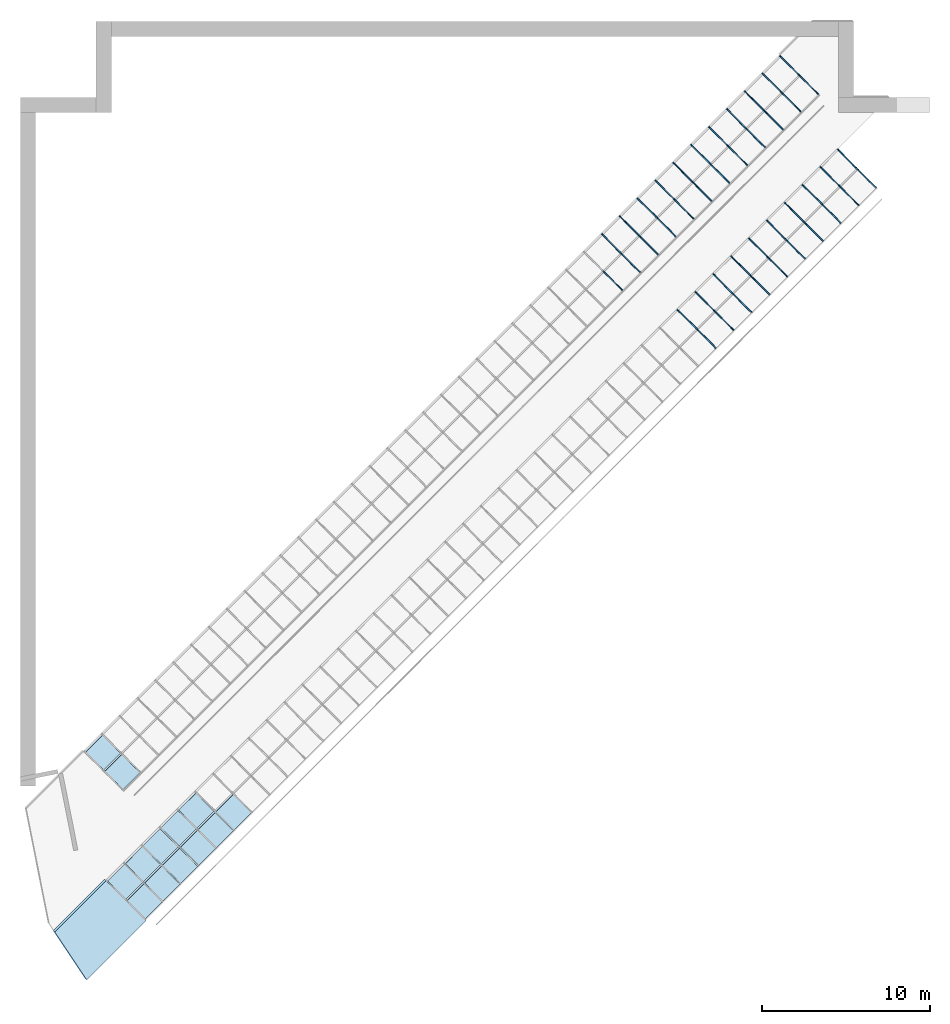
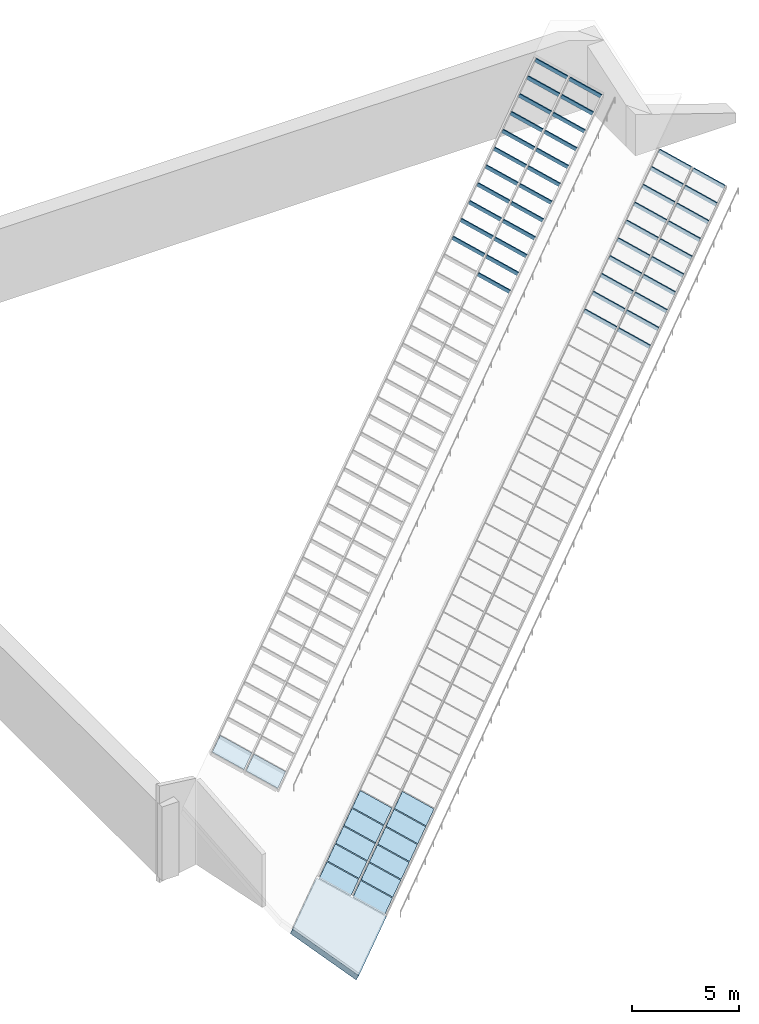
# One storey, part 3 of 7: 43 members, 13 plates, 1 slab, 2 elements without a shape of their own.
"""IFC4 building model written with IfcOpenShell, lengths in metres."""

from ifc_helpers import new_model, si_unit, direction, frame, origin, origin_2d, place, context, subcontext, project, spatial, polyline, rectangle, outline, extrude, material, layer, layer_set, material_profile, profile_set, type_object, element, aggregate, save


model = new_model("IFC4")

# Units and contexts
model_context = context("Model", 3, precision=1e-05, world=origin(), true_north=direction((0.0, 1.0)))
body_context = subcontext(model_context, "Body", "Model", "MODEL_VIEW")
ifc_project = project(units=[si_unit("LENGTHUNIT", "METRE"), si_unit("AREAUNIT", "SQUARE_METRE"), si_unit("VOLUMEUNIT", "CUBIC_METRE"), si_unit("PLANEANGLEUNIT", "RADIAN"), si_unit("MASSUNIT", "GRAM", prefix="KILO")], contexts=[model_context])

# Site, building, storey
site_placement = place(None, origin())
site = spatial("IfcSite", under=ifc_project, at=site_placement, CompositionType="ELEMENT")
building_placement = place(site_placement, origin())
building = spatial("IfcBuilding", under=site, at=building_placement, Name="Hunhe Ridgeline Campus", CompositionType="ELEMENT")
storey_placement = place(building_placement, frame((0.0, 0.0, 315.60009765625)))
storey = spatial("IfcBuildingStorey", under=building, at=storey_placement, Name="L81 Crown", CompositionType="ELEMENT", Elevation=315.60009765625)

# Curtain wall, members
ifc_material_1 = material(Name="Aluminium 6063", Category="aluminium")
curtain_wall_type = type_object("IfcCurtainWallType", Name="Curtain wall CW-6", PredefinedType="NOTDEFINED", material=ifc_material_1)
curtain_wall_1_placement = place(storey_placement, origin())
curtain_wall_1 = element("IfcCurtainWall", 1, at=curtain_wall_1_placement, inside=storey, type_object=curtain_wall_type, Name="Rooflight 3", PredefinedType="NOTDEFINED")
ifc_material_profile = material_profile(ifc_material_1, rectangle(XDim=0.070068359375, YDim=0.199951171875, at=origin_2d()))
ifc_profile_set = profile_set([ifc_material_profile], Name="Aluminium 6063")
member_type = type_object("IfcMemberType", Name="CW-6 aluminium mullion", PredefinedType="MULLION", material=ifc_profile_set)
member_1_placement = place(storey_placement, frame((50.8173828125, 89.140380859375, 0.1708984375), z_axis=(-0.639602149067, 0.639602149067, 0.426401432711), x_axis=(-0.707106781187, -0.707106781187, 0.0)))
member_1 = element("IfcMember", 2, at=member_1_placement, type_object=member_type, Name="E-L81 Crown-RL-03/M0-00", PredefinedType="MULLION", context=body_context, shape_type="SweptSolid", body=[
    extrude(rectangle(XDim=0.070068359375, YDim=0.199951171875, at=origin_2d()), origin(), (0.0, 0.0, 1.0), 1.693603515625),
])
member_2_placement = place(storey_placement, frame((49.781494140625, 88.1044921875, 0.1708984375), z_axis=(-0.639687317978, 0.63954317933, 0.426362119554), x_axis=(-0.707027102695, -0.707186450701, 0.0)))
member_2 = element("IfcMember", 3, at=member_2_placement, type_object=member_type, Name="E-L81 Crown-RL-03/M0-01", PredefinedType="MULLION", context=body_context, shape_type="SweptSolid", body=[
    extrude(rectangle(XDim=0.070068359375, YDim=0.199951171875, at=origin_2d()), origin(), (0.0, 0.0, 1.0), 1.69384765625),
])
member_3_placement = place(storey_placement, frame((48.720703125, 87.043701171875, 0.1708984375), z_axis=(-0.639602149067, 0.639602149067, 0.426401432711), x_axis=(-0.707106781187, -0.707106781187, 0.0)))
member_3 = element("IfcMember", 4, at=member_3_placement, type_object=member_type, Name="E-L81 Crown-RL-03/M0-02", PredefinedType="MULLION", context=body_context, shape_type="SweptSolid", body=[
    extrude(rectangle(XDim=0.070068359375, YDim=0.199951171875, at=origin_2d()), origin(), (0.0, 0.0, 1.0), 1.693603515625),
])
member_4_placement = place(storey_placement, frame((47.66015625, 85.983154296875, 0.1708984375), z_axis=(-0.639602149067, 0.639602149067, 0.426401432711), x_axis=(-0.707106781187, -0.707106781187, 0.0)))
member_4 = element("IfcMember", 5, at=member_4_placement, type_object=member_type, Name="E-L81 Crown-RL-03/M0-03", PredefinedType="MULLION", context=body_context, shape_type="SweptSolid", body=[
    extrude(rectangle(XDim=0.070068359375, YDim=0.199951171875, at=origin_2d()), origin(), (0.0, 0.0, 1.0), 1.693603515625),
])
member_5_placement = place(storey_placement, frame((46.599365234375, 84.92236328125, 0.1708984375), z_axis=(-0.639602149067, 0.639602149067, 0.426401432711), x_axis=(-0.707106781187, -0.707106781187, 0.0)))
member_5 = element("IfcMember", 6, at=member_5_placement, type_object=member_type, Name="E-L81 Crown-RL-03/M0-04", PredefinedType="MULLION", context=body_context, shape_type="SweptSolid", body=[
    extrude(rectangle(XDim=0.070068359375, YDim=0.199951171875, at=origin_2d()), origin(), (0.0, 0.0, 1.0), 1.693603515625),
])
member_6_placement = place(storey_placement, frame((45.538818359375, 83.86181640625, 0.1708984375), z_axis=(-0.639602149067, 0.639602149067, 0.426401432711), x_axis=(-0.707106781187, -0.707106781187, 0.0)))
member_6 = element("IfcMember", 7, at=member_6_placement, type_object=member_type, Name="E-L81 Crown-RL-03/M0-05", PredefinedType="MULLION", context=body_context, shape_type="SweptSolid", body=[
    extrude(rectangle(XDim=0.070068359375, YDim=0.199951171875, at=origin_2d()), origin(), (0.0, 0.0, 1.0), 1.693603515625),
])
member_7_placement = place(storey_placement, frame((44.47802734375, 82.801025390625, 0.1708984375), z_axis=(-0.63954317933, 0.639687317978, 0.426362119554), x_axis=(-0.707186450701, -0.707027102695, 0.0)))
member_7 = element("IfcMember", 8, at=member_7_placement, type_object=member_type, Name="E-L81 Crown-RL-03/M0-06", PredefinedType="MULLION", context=body_context, shape_type="SweptSolid", body=[
    extrude(rectangle(XDim=0.070068359375, YDim=0.199951171875, at=origin_2d()), origin(), (0.0, 0.0, 1.0), 1.69384765625),
])
member_8_placement = place(storey_placement, frame((43.41748046875, 81.740478515625, 0.1708984375), z_axis=(-0.639602149067, 0.639602149067, 0.426401432711), x_axis=(-0.707106781187, -0.707106781187, 0.0)))
member_8 = element("IfcMember", 9, at=member_8_placement, type_object=member_type, Name="E-L81 Crown-RL-03/M0-07", PredefinedType="MULLION", context=body_context, shape_type="SweptSolid", body=[
    extrude(rectangle(XDim=0.070068359375, YDim=0.199951171875, at=origin_2d()), origin(), (0.0, 0.0, 1.0), 1.693603515625),
])
member_9_placement = place(storey_placement, frame((42.356689453125, 80.679931640625, 0.1708984375), z_axis=(-0.639602149067, 0.639602149067, 0.426401432711), x_axis=(-0.707106781187, -0.707106781187, 0.0)))
member_9 = element("IfcMember", 10, at=member_9_placement, type_object=member_type, Name="E-L81 Crown-RL-03/M0-08", PredefinedType="MULLION", context=body_context, shape_type="SweptSolid", body=[
    extrude(rectangle(XDim=0.070068359375, YDim=0.199951171875, at=origin_2d()), origin(), (0.0, 0.0, 1.0), 1.693603515625),
])
member_10_placement = place(storey_placement, frame((41.296142578125, 79.619140625, 0.1708984375), z_axis=(-0.639602149067, 0.639602149067, 0.426401432711), x_axis=(-0.707106781187, -0.707106781187, 0.0)))
member_10 = element("IfcMember", 11, at=member_10_placement, type_object=member_type, Name="E-L81 Crown-RL-03/M0-09", PredefinedType="MULLION", context=body_context, shape_type="SweptSolid", body=[
    extrude(rectangle(XDim=0.070068359375, YDim=0.199951171875, at=origin_2d()), origin(), (0.0, 0.0, 1.0), 1.693603515625),
])
member_11_placement = place(storey_placement, frame((49.663330078125, 90.29443359375, 0.9404296875), z_axis=(-0.639602149067, 0.639602149067, 0.426401432711), x_axis=(-0.707106781187, -0.707106781187, 0.0)))
member_11 = element("IfcMember", 12, at=member_11_placement, type_object=member_type, Name="E-L81 Crown-RL-03/M1-00", PredefinedType="MULLION", context=body_context, shape_type="SweptSolid", body=[
    extrude(rectangle(XDim=0.070068359375, YDim=0.199951171875, at=origin_2d()), origin(), (0.0, 0.0, 1.0), 1.693603515625),
])
member_12_placement = place(storey_placement, frame((48.62744140625, 89.25830078125, 0.9404296875), z_axis=(-0.63954317933, 0.639687317978, 0.426362119554), x_axis=(-0.707186450701, -0.707027102695, 0.0)))
member_12 = element("IfcMember", 13, at=member_12_placement, type_object=member_type, Name="E-L81 Crown-RL-03/M1-01", PredefinedType="MULLION", context=body_context, shape_type="SweptSolid", body=[
    extrude(rectangle(XDim=0.070068359375, YDim=0.199951171875, at=origin_2d()), origin(), (0.0, 0.0, 1.0), 1.69384765625),
])
member_13_placement = place(storey_placement, frame((47.566650390625, 88.19775390625, 0.9404296875), z_axis=(-0.639602149067, 0.639602149067, 0.426401432711), x_axis=(-0.707106781187, -0.707106781187, 0.0)))
member_13 = element("IfcMember", 14, at=member_13_placement, type_object=member_type, Name="E-L81 Crown-RL-03/M1-02", PredefinedType="MULLION", context=body_context, shape_type="SweptSolid", body=[
    extrude(rectangle(XDim=0.070068359375, YDim=0.199951171875, at=origin_2d()), origin(), (0.0, 0.0, 1.0), 1.693603515625),
])
member_14_placement = place(storey_placement, frame((46.506103515625, 87.13720703125, 0.9404296875), z_axis=(-0.639602149067, 0.639602149067, 0.426401432711), x_axis=(-0.707106781187, -0.707106781187, 0.0)))
member_14 = element("IfcMember", 15, at=member_14_placement, type_object=member_type, Name="E-L81 Crown-RL-03/M1-03", PredefinedType="MULLION", context=body_context, shape_type="SweptSolid", body=[
    extrude(rectangle(XDim=0.070068359375, YDim=0.199951171875, at=origin_2d()), origin(), (0.0, 0.0, 1.0), 1.693603515625),
])
member_15_placement = place(storey_placement, frame((45.4453125, 86.076416015625, 0.9404296875), z_axis=(-0.639602149067, 0.639602149067, 0.426401432711), x_axis=(-0.707106781187, -0.707106781187, 0.0)))
member_15 = element("IfcMember", 16, at=member_15_placement, type_object=member_type, Name="E-L81 Crown-RL-03/M1-04", PredefinedType="MULLION", context=body_context, shape_type="SweptSolid", body=[
    extrude(rectangle(XDim=0.070068359375, YDim=0.199951171875, at=origin_2d()), origin(), (0.0, 0.0, 1.0), 1.693603515625),
])
member_16_placement = place(storey_placement, frame((44.384765625, 85.015869140625, 0.9404296875), z_axis=(-0.639602149067, 0.639602149067, 0.426401432711), x_axis=(-0.707106781187, -0.707106781187, 0.0)))
member_16 = element("IfcMember", 17, at=member_16_placement, type_object=member_type, Name="E-L81 Crown-RL-03/M1-05", PredefinedType="MULLION", context=body_context, shape_type="SweptSolid", body=[
    extrude(rectangle(XDim=0.070068359375, YDim=0.199951171875, at=origin_2d()), origin(), (0.0, 0.0, 1.0), 1.693603515625),
])
member_17_placement = place(storey_placement, frame((43.32421875, 83.955078125, 0.9404296875), z_axis=(-0.639687317978, 0.63954317933, 0.426362119554), x_axis=(-0.707027102695, -0.707186450701, 0.0)))
member_17 = element("IfcMember", 18, at=member_17_placement, type_object=member_type, Name="E-L81 Crown-RL-03/M1-06", PredefinedType="MULLION", context=body_context, shape_type="SweptSolid", body=[
    extrude(rectangle(XDim=0.070068359375, YDim=0.199951171875, at=origin_2d()), origin(), (0.0, 0.0, 1.0), 1.69384765625),
])
member_18_placement = place(storey_placement, frame((42.263427734375, 82.89453125, 0.9404296875), z_axis=(-0.639602149067, 0.639602149067, 0.426401432711), x_axis=(-0.707106781187, -0.707106781187, 0.0)))
member_18 = element("IfcMember", 19, at=member_18_placement, type_object=member_type, Name="E-L81 Crown-RL-03/M1-07", PredefinedType="MULLION", context=body_context, shape_type="SweptSolid", body=[
    extrude(rectangle(XDim=0.070068359375, YDim=0.199951171875, at=origin_2d()), origin(), (0.0, 0.0, 1.0), 1.693603515625),
])
member_19_placement = place(storey_placement, frame((41.202880859375, 81.833740234375, 0.9404296875), z_axis=(-0.639602149067, 0.639602149067, 0.426401432711), x_axis=(-0.707106781187, -0.707106781187, 0.0)))
member_19 = element("IfcMember", 20, at=member_19_placement, type_object=member_type, Name="E-L81 Crown-RL-03/M1-08", PredefinedType="MULLION", context=body_context, shape_type="SweptSolid", body=[
    extrude(rectangle(XDim=0.070068359375, YDim=0.199951171875, at=origin_2d()), origin(), (0.0, 0.0, 1.0), 1.693603515625),
])
member_20_placement = place(storey_placement, frame((40.14208984375, 80.773193359375, 0.9404296875), z_axis=(-0.639602149067, 0.639602149067, 0.426401432711), x_axis=(-0.707106781187, -0.707106781187, 0.0)))
member_20 = element("IfcMember", 21, at=member_20_placement, type_object=member_type, Name="E-L81 Crown-RL-03/M1-09", PredefinedType="MULLION", context=body_context, shape_type="SweptSolid", body=[
    extrude(rectangle(XDim=0.070068359375, YDim=0.199951171875, at=origin_2d()), origin(), (0.0, 0.0, 1.0), 1.693603515625),
])

curtain_wall_2_placement = place(storey_placement, origin())
curtain_wall_2 = element("IfcCurtainWall", 22, at=curtain_wall_2_placement, inside=storey, type_object=curtain_wall_type, Name="Rooflight 4", PredefinedType="NOTDEFINED")
member_21_placement = place(storey_placement, frame((47.3779296875, 94.700927734375, 3.171142578125), z_axis=(-0.639602149067, 0.639602149067, 0.426401432711), x_axis=(-0.707106781187, -0.707106781187, 0.0)))
member_21 = element("IfcMember", 23, at=member_21_placement, type_object=member_type, Name="E-L81 Crown-RL-04/M0-00", PredefinedType="MULLION", context=body_context, shape_type="SweptSolid", body=[
    extrude(rectangle(XDim=0.070068359375, YDim=0.199951171875, at=origin_2d()), origin(), (0.0, 0.0, 1.0), 1.693603515625),
])
member_22_placement = place(storey_placement, frame((46.342041015625, 93.6650390625, 3.171142578125), z_axis=(-0.639602149067, 0.639602149067, 0.426401432711), x_axis=(-0.707106781187, -0.707106781187, 0.0)))
member_22 = element("IfcMember", 24, at=member_22_placement, type_object=member_type, Name="E-L81 Crown-RL-04/M0-01", PredefinedType="MULLION", context=body_context, shape_type="SweptSolid", body=[
    extrude(rectangle(XDim=0.070068359375, YDim=0.199951171875, at=origin_2d()), origin(), (0.0, 0.0, 1.0), 1.693603515625),
])
member_23_placement = place(storey_placement, frame((45.281494140625, 92.6044921875, 3.171142578125), z_axis=(-0.639687317978, 0.63954317933, 0.426362119554), x_axis=(-0.707027102695, -0.707186450701, 0.0)))
member_23 = element("IfcMember", 25, at=member_23_placement, type_object=member_type, Name="E-L81 Crown-RL-04/M0-02", PredefinedType="MULLION", context=body_context, shape_type="SweptSolid", body=[
    extrude(rectangle(XDim=0.070068359375, YDim=0.199951171875, at=origin_2d()), origin(), (0.0, 0.0, 1.0), 1.69384765625),
])
member_24_placement = place(storey_placement, frame((44.220703125, 91.543701171875, 3.171142578125), z_axis=(-0.639602149067, 0.639602149067, 0.426401432711), x_axis=(-0.707106781187, -0.707106781187, 0.0)))
member_24 = element("IfcMember", 26, at=member_24_placement, type_object=member_type, Name="E-L81 Crown-RL-04/M0-03", PredefinedType="MULLION", context=body_context, shape_type="SweptSolid", body=[
    extrude(rectangle(XDim=0.070068359375, YDim=0.199951171875, at=origin_2d()), origin(), (0.0, 0.0, 1.0), 1.693603515625),
])
member_25_placement = place(storey_placement, frame((43.16015625, 90.483154296875, 3.171142578125), z_axis=(-0.639602149067, 0.639602149067, 0.426401432711), x_axis=(-0.707106781187, -0.707106781187, 0.0)))
member_25 = element("IfcMember", 27, at=member_25_placement, type_object=member_type, Name="E-L81 Crown-RL-04/M0-04", PredefinedType="MULLION", context=body_context, shape_type="SweptSolid", body=[
    extrude(rectangle(XDim=0.070068359375, YDim=0.199951171875, at=origin_2d()), origin(), (0.0, 0.0, 1.0), 1.693603515625),
])
member_26_placement = place(storey_placement, frame((42.099365234375, 89.42236328125, 3.171142578125), z_axis=(-0.639602149067, 0.639602149067, 0.426401432711), x_axis=(-0.707106781187, -0.707106781187, 0.0)))
member_26 = element("IfcMember", 28, at=member_26_placement, type_object=member_type, Name="E-L81 Crown-RL-04/M0-05", PredefinedType="MULLION", context=body_context, shape_type="SweptSolid", body=[
    extrude(rectangle(XDim=0.070068359375, YDim=0.199951171875, at=origin_2d()), origin(), (0.0, 0.0, 1.0), 1.693603515625),
])
member_27_placement = place(storey_placement, frame((41.038818359375, 88.36181640625, 3.171142578125), z_axis=(-0.639602149067, 0.639602149067, 0.426401432711), x_axis=(-0.707106781187, -0.707106781187, 0.0)))
member_27 = element("IfcMember", 29, at=member_27_placement, type_object=member_type, Name="E-L81 Crown-RL-04/M0-06", PredefinedType="MULLION", context=body_context, shape_type="SweptSolid", body=[
    extrude(rectangle(XDim=0.070068359375, YDim=0.199951171875, at=origin_2d()), origin(), (0.0, 0.0, 1.0), 1.693603515625),
])
member_28_placement = place(storey_placement, frame((39.97802734375, 87.301025390625, 3.171142578125), z_axis=(-0.63954317933, 0.639687317978, 0.426362119554), x_axis=(-0.707186450701, -0.707027102695, 0.0)))
member_28 = element("IfcMember", 30, at=member_28_placement, type_object=member_type, Name="E-L81 Crown-RL-04/M0-07", PredefinedType="MULLION", context=body_context, shape_type="SweptSolid", body=[
    extrude(rectangle(XDim=0.070068359375, YDim=0.199951171875, at=origin_2d()), origin(), (0.0, 0.0, 1.0), 1.69384765625),
])
member_29_placement = place(storey_placement, frame((38.91748046875, 86.240478515625, 3.171142578125), z_axis=(-0.639602149067, 0.639602149067, 0.426401432711), x_axis=(-0.707106781187, -0.707106781187, 0.0)))
member_29 = element("IfcMember", 31, at=member_29_placement, type_object=member_type, Name="E-L81 Crown-RL-04/M0-08", PredefinedType="MULLION", context=body_context, shape_type="SweptSolid", body=[
    extrude(rectangle(XDim=0.070068359375, YDim=0.199951171875, at=origin_2d()), origin(), (0.0, 0.0, 1.0), 1.693603515625),
])
member_30_placement = place(storey_placement, frame((37.856689453125, 85.179931640625, 3.171142578125), z_axis=(-0.639602149067, 0.639602149067, 0.426401432711), x_axis=(-0.707106781187, -0.707106781187, 0.0)))
member_30 = element("IfcMember", 32, at=member_30_placement, type_object=member_type, Name="E-L81 Crown-RL-04/M0-09", PredefinedType="MULLION", context=body_context, shape_type="SweptSolid", body=[
    extrude(rectangle(XDim=0.070068359375, YDim=0.199951171875, at=origin_2d()), origin(), (0.0, 0.0, 1.0), 1.693603515625),
])
member_31_placement = place(storey_placement, frame((36.796142578125, 84.119140625, 3.171142578125), z_axis=(-0.639602149067, 0.639602149067, 0.426401432711), x_axis=(-0.707106781187, -0.707106781187, 0.0)))
member_31 = element("IfcMember", 33, at=member_31_placement, type_object=member_type, Name="E-L81 Crown-RL-04/M0-10", PredefinedType="MULLION", context=body_context, shape_type="SweptSolid", body=[
    extrude(rectangle(XDim=0.070068359375, YDim=0.199951171875, at=origin_2d()), origin(), (0.0, 0.0, 1.0), 1.693603515625),
])
member_32_placement = place(storey_placement, frame((35.7353515625, 83.05859375, 3.171142578125), z_axis=(-0.639602149067, 0.639602149067, 0.426401432711), x_axis=(-0.707106781187, -0.707106781187, 0.0)))
member_32 = element("IfcMember", 34, at=member_32_placement, type_object=member_type, Name="E-L81 Crown-RL-04/M0-11", PredefinedType="MULLION", context=body_context, shape_type="SweptSolid", body=[
    extrude(rectangle(XDim=0.070068359375, YDim=0.199951171875, at=origin_2d()), origin(), (0.0, 0.0, 1.0), 1.693603515625),
])
member_33_placement = place(storey_placement, frame((46.223876953125, 95.85498046875, 3.9404296875), z_axis=(-0.639602149067, 0.639602149067, 0.426401432711), x_axis=(-0.707106781187, -0.707106781187, 0.0)))
member_33 = element("IfcMember", 35, at=member_33_placement, type_object=member_type, Name="E-L81 Crown-RL-04/M1-00", PredefinedType="MULLION", context=body_context, shape_type="SweptSolid", body=[
    extrude(rectangle(XDim=0.070068359375, YDim=0.199951171875, at=origin_2d()), origin(), (0.0, 0.0, 1.0), 1.693603515625),
])
member_34_placement = place(storey_placement, frame((45.18798828125, 94.819091796875, 3.9404296875), z_axis=(-0.639602149067, 0.639602149067, 0.426401432711), x_axis=(-0.707106781187, -0.707106781187, 0.0)))
member_34 = element("IfcMember", 36, at=member_34_placement, type_object=member_type, Name="E-L81 Crown-RL-04/M1-01", PredefinedType="MULLION", context=body_context, shape_type="SweptSolid", body=[
    extrude(rectangle(XDim=0.070068359375, YDim=0.199951171875, at=origin_2d()), origin(), (0.0, 0.0, 1.0), 1.693603515625),
])
member_35_placement = place(storey_placement, frame((44.12744140625, 93.75830078125, 3.9404296875), z_axis=(-0.63954317933, 0.639687317978, 0.426362119554), x_axis=(-0.707186450701, -0.707027102695, 0.0)))
member_35 = element("IfcMember", 37, at=member_35_placement, type_object=member_type, Name="E-L81 Crown-RL-04/M1-02", PredefinedType="MULLION", context=body_context, shape_type="SweptSolid", body=[
    extrude(rectangle(XDim=0.070068359375, YDim=0.199951171875, at=origin_2d()), origin(), (0.0, 0.0, 1.0), 1.69384765625),
])
member_36_placement = place(storey_placement, frame((43.066650390625, 92.69775390625, 3.9404296875), z_axis=(-0.639602149067, 0.639602149067, 0.426401432711), x_axis=(-0.707106781187, -0.707106781187, 0.0)))
member_36 = element("IfcMember", 38, at=member_36_placement, type_object=member_type, Name="E-L81 Crown-RL-04/M1-03", PredefinedType="MULLION", context=body_context, shape_type="SweptSolid", body=[
    extrude(rectangle(XDim=0.070068359375, YDim=0.199951171875, at=origin_2d()), origin(), (0.0, 0.0, 1.0), 1.693603515625),
])
member_37_placement = place(storey_placement, frame((42.006103515625, 91.63720703125, 3.9404296875), z_axis=(-0.639602149067, 0.639602149067, 0.426401432711), x_axis=(-0.707106781187, -0.707106781187, 0.0)))
member_37 = element("IfcMember", 39, at=member_37_placement, type_object=member_type, Name="E-L81 Crown-RL-04/M1-04", PredefinedType="MULLION", context=body_context, shape_type="SweptSolid", body=[
    extrude(rectangle(XDim=0.070068359375, YDim=0.199951171875, at=origin_2d()), origin(), (0.0, 0.0, 1.0), 1.693603515625),
])
member_38_placement = place(storey_placement, frame((40.9453125, 90.576416015625, 3.9404296875), z_axis=(-0.639602149067, 0.639602149067, 0.426401432711), x_axis=(-0.707106781187, -0.707106781187, 0.0)))
member_38 = element("IfcMember", 40, at=member_38_placement, type_object=member_type, Name="E-L81 Crown-RL-04/M1-05", PredefinedType="MULLION", context=body_context, shape_type="SweptSolid", body=[
    extrude(rectangle(XDim=0.070068359375, YDim=0.199951171875, at=origin_2d()), origin(), (0.0, 0.0, 1.0), 1.693603515625),
])
member_39_placement = place(storey_placement, frame((39.884765625, 89.515869140625, 3.9404296875), z_axis=(-0.639602149067, 0.639602149067, 0.426401432711), x_axis=(-0.707106781187, -0.707106781187, 0.0)))
member_39 = element("IfcMember", 41, at=member_39_placement, type_object=member_type, Name="E-L81 Crown-RL-04/M1-06", PredefinedType="MULLION", context=body_context, shape_type="SweptSolid", body=[
    extrude(rectangle(XDim=0.070068359375, YDim=0.199951171875, at=origin_2d()), origin(), (0.0, 0.0, 1.0), 1.693603515625),
])
member_40_placement = place(storey_placement, frame((38.82421875, 88.455078125, 3.9404296875), z_axis=(-0.639687317978, 0.63954317933, 0.426362119554), x_axis=(-0.707027102695, -0.707186450701, 0.0)))
member_40 = element("IfcMember", 42, at=member_40_placement, type_object=member_type, Name="E-L81 Crown-RL-04/M1-07", PredefinedType="MULLION", context=body_context, shape_type="SweptSolid", body=[
    extrude(rectangle(XDim=0.070068359375, YDim=0.199951171875, at=origin_2d()), origin(), (0.0, 0.0, 1.0), 1.69384765625),
])
member_41_placement = place(storey_placement, frame((37.763427734375, 87.39453125, 3.9404296875), z_axis=(-0.639602149067, 0.639602149067, 0.426401432711), x_axis=(-0.707106781187, -0.707106781187, 0.0)))
member_41 = element("IfcMember", 43, at=member_41_placement, type_object=member_type, Name="E-L81 Crown-RL-04/M1-08", PredefinedType="MULLION", context=body_context, shape_type="SweptSolid", body=[
    extrude(rectangle(XDim=0.070068359375, YDim=0.199951171875, at=origin_2d()), origin(), (0.0, 0.0, 1.0), 1.693603515625),
])
member_42_placement = place(storey_placement, frame((36.702880859375, 86.333740234375, 3.9404296875), z_axis=(-0.639602149067, 0.639602149067, 0.426401432711), x_axis=(-0.707106781187, -0.707106781187, 0.0)))
member_42 = element("IfcMember", 44, at=member_42_placement, type_object=member_type, Name="E-L81 Crown-RL-04/M1-09", PredefinedType="MULLION", context=body_context, shape_type="SweptSolid", body=[
    extrude(rectangle(XDim=0.070068359375, YDim=0.199951171875, at=origin_2d()), origin(), (0.0, 0.0, 1.0), 1.693603515625),
])
member_43_placement = place(storey_placement, frame((35.64208984375, 85.273193359375, 3.9404296875), z_axis=(-0.639602149067, 0.639602149067, 0.426401432711), x_axis=(-0.707106781187, -0.707106781187, 0.0)))
member_43 = element("IfcMember", 45, at=member_43_placement, type_object=member_type, Name="E-L81 Crown-RL-04/M1-10", PredefinedType="MULLION", context=body_context, shape_type="SweptSolid", body=[
    extrude(rectangle(XDim=0.070068359375, YDim=0.199951171875, at=origin_2d()), origin(), (0.0, 0.0, 1.0), 1.693603515625),
])

# Slab
ifc_material_2 = material(Name="Concrete C40", Category="concrete")
ifc_layer_1 = layer(ifc_material_2, 0.300048828125)
ifc_layer_set_1 = layer_set([ifc_layer_1], Name="Roof slab 300 Concrete C40")
slab_type = type_object("IfcSlabType", Name="Roof slab 300 Concrete C40", PredefinedType="ROOF", material=ifc_layer_set_1)
slab_placement = place(storey_placement, frame((7.455810546875, 45.5771484375, 0.21435546875), z_axis=(0.301498684486, -0.301498684486, 0.904542473578), x_axis=(-0.639608116938, 0.639608116938, 0.426383528637)))
element("IfcSlab", 46, at=slab_placement, inside=storey, type_object=slab_type, Name="Crown roof slab 5", PredefinedType="ROOF", context=body_context, shape_type="SweptSolid", body=[
    extrude(outline(polyline([(0.0, 0.0), (3.718936715126868, 0.0), (3.7189367151268686, 4.305824545008512), (0.0, 4.974951958064924), (0.0, 0.0)])), origin(), (0.0, 0.0, -1.0), 0.300048828125),
])

# Plate
ifc_material_3 = material(Name="Low-e laminated glass", Category="glass")
ifc_layer_2 = layer(ifc_material_3, 0.0400390625)
ifc_layer_set_2 = layer_set([ifc_layer_2], Name="Rooflight glass panel 40 low-e laminated")
plate_type = type_object("IfcPlateType", Name="Rooflight glass panel 40 low-e laminated", PredefinedType="CURTAIN_PANEL", material=ifc_layer_set_2)
plate_1_placement = place(storey_placement, frame((13.724365234375, 51.987060546875, 0.261474609375), z_axis=(0.301511344578, -0.301511344578, 0.904534033733), x_axis=(-0.639602149067, 0.639602149067, 0.426401432711)))
plate_1 = element("IfcPlate", 47, at=plate_1_placement, type_object=plate_type, Name="Rooflight panel 1.36", PredefinedType="CURTAIN_PANEL", context=body_context, shape_type="SweptSolid", body=[
    extrude(outline(polyline([(0.0, 0.0), (1.6936340109323371, 0.0), (1.693634010932337, 1.4300958435911524), (0.0, 1.4300958435911524), (0.0, 0.0)])), origin(), (0.0, 0.0, -1.0), 0.0400390625),
])

plate_2_placement = place(storey_placement, frame((12.66357421875, 50.926513671875, 0.261474609375), z_axis=(0.301547745403, -0.301474942954, 0.904534032535), x_axis=(-0.639602149067, 0.639602149067, 0.426401432711)))
plate_2 = element("IfcPlate", 48, at=plate_2_placement, type_object=plate_type, Name="Rooflight panel 1.37", PredefinedType="CURTAIN_PANEL", context=body_context, shape_type="SweptSolid", body=[
    extrude(outline(polyline([(0.0, 0.0), (1.6936340109323371, 3.6469850576981155e-17), (1.6934778580639125, 1.4299232119943703), (-0.00015615286842451948, 1.4299232119943701), (0.0, 0.0)])), origin(), (0.0, 0.0, -1.0), 0.0400390625),
])

plate_3_placement = place(storey_placement, frame((11.60302734375, 49.86572265625, 0.261474609375), z_axis=(0.301479245877, -0.301515643227, 0.90454329979), x_axis=(-0.639608700975, 0.639608701766, 0.426381775248)))
plate_3 = element("IfcPlate", 49, at=plate_3_placement, type_object=plate_type, Name="Rooflight panel 1.38", PredefinedType="CURTAIN_PANEL", context=body_context, shape_type="SweptSolid", body=[
    extrude(outline(polyline([(0.0, 0.0), (1.6936340105324015, -2.110128478199913e-17), (1.6937901642007342, 1.4299232115205895), (-7.998715023660452e-10, 1.4300958431175164), (0.0, 0.0)])), origin(), (0.0, 0.0, -1.0), 0.0400390625),
])

plate_4_placement = place(storey_placement, frame((10.54248046875, 48.80517578125, 0.261474609375), z_axis=(0.301515643227, -0.301479245877, 0.90454329979), x_axis=(-0.639680766185, 0.639536628329, 0.426381775406)))
plate_4 = element("IfcPlate", 50, at=plate_4_placement, type_object=plate_type, Name="Rooflight panel 1.39", PredefinedType="CURTAIN_PANEL", context=body_context, shape_type="SweptSolid", body=[
    extrude(outline(polyline([(0.0, 0.0), (1.6937901737979375, 9.269928574751063e-17), (1.6937797583282785, 1.4299232200089778), (0.0001457565923979054, 1.430095835689698), (0.0, 0.0)])), origin(), (0.0, 0.0, -1.0), 0.0400390625),
])

plate_5_placement = place(storey_placement, frame((9.481689453125, 47.744384765625, 0.261474609375), z_axis=(0.301474942954, -0.301547745403, 0.904534032535), x_axis=(-0.639602149067, 0.639602149067, 0.426401432711)))
plate_5 = element("IfcPlate", 51, at=plate_5_placement, type_object=plate_type, Name="Rooflight panel 1.40", PredefinedType="CURTAIN_PANEL", context=body_context, shape_type="SweptSolid", body=[
    extrude(outline(polyline([(0.0, 0.0), (1.6936340109323371, -3.6469850576981155e-17), (1.6937901638007615, 1.4299232119943701), (0.00015615286842451948, 1.4299232119943701), (0.0, 0.0)])), origin(), (0.0, 0.0, -1.0), 0.0400390625),
])

plate_6_placement = place(storey_placement, frame((8.421142578125, 46.683837890625, 0.261474609375), z_axis=(0.301478790969, -0.301516098083, 0.904543299789), x_axis=(-0.639608700975, 0.639608701785, 0.426381775218)))
plate_6 = element("IfcPlate", 52, at=plate_6_placement, type_object=plate_type, Name="Rooflight panel 1.41", PredefinedType="CURTAIN_PANEL", context=body_context, shape_type="SweptSolid", body=[
    extrude(outline(polyline([(0.0, 0.0), (1.6936340105324001, 8.685814654324497e-17), (1.6937901642007354, 1.3950512462729818), (-7.998739448566994e-10, 1.3952238778225514), (0.0, 0.0)])), origin(), (0.0, 0.0, -1.0), 0.0400390625),
])

plate_7_placement = place(storey_placement, frame((11.509765625, 52.080322265625, 1.03076171875), z_axis=(0.301474942954, -0.301547745403, 0.904534032535), x_axis=(-0.639602149067, 0.639602149067, 0.426401432711)))
plate_7 = element("IfcPlate", 53, at=plate_7_placement, type_object=plate_type, Name="Rooflight panel 2.37", PredefinedType="CURTAIN_PANEL", context=body_context, shape_type="SweptSolid", body=[
    extrude(outline(polyline([(0.0, 0.0), (1.6936340109323371, -3.6469850576981155e-17), (1.6937901638007615, 1.4299232119943701), (0.00015615286842451948, 1.4299232119943701), (0.0, 0.0)])), origin(), (0.0, 0.0, -1.0), 0.0400390625),
])

plate_8_placement = place(storey_placement, frame((10.448974609375, 51.019775390625, 1.03076171875), z_axis=(0.301515643227, -0.301479245877, 0.90454329979), x_axis=(-0.639608701766, 0.639608700975, 0.426381775248)))
plate_8 = element("IfcPlate", 54, at=plate_8_placement, type_object=plate_type, Name="Rooflight panel 2.38", PredefinedType="CURTAIN_PANEL", context=body_context, shape_type="SweptSolid", body=[
    extrude(outline(polyline([(0.0, 0.0), (1.6936340105324015, 2.110128478199913e-17), (1.6936340113322728, 1.4300958431175164), (-0.00015615366833288125, 1.4299232115205898), (0.0, 0.0)])), origin(), (0.0, 0.0, -1.0), 0.0400390625),
])

plate_9_placement = place(storey_placement, frame((9.388427734375, 49.958984375, 1.03076171875), z_axis=(0.301479245877, -0.301515643227, 0.90454329979), x_axis=(-0.639536628329, 0.639680766185, 0.426381775406)))
plate_9 = element("IfcPlate", 55, at=plate_9_placement, type_object=plate_type, Name="Rooflight panel 2.39", PredefinedType="CURTAIN_PANEL", context=body_context, shape_type="SweptSolid", body=[
    extrude(outline(polyline([(0.0, 0.0), (1.6937901737979375, -9.269928574751063e-17), (1.6936444172055396, 1.4300958356896978), (1.041546965907525e-05, 1.4299232200089778), (0.0, 0.0)])), origin(), (0.0, 0.0, -1.0), 0.0400390625),
])

plate_10_placement = place(storey_placement, frame((8.32763671875, 48.8984375, 1.03076171875), z_axis=(0.301547745403, -0.301474942954, 0.904534032535), x_axis=(-0.639602149067, 0.639602149067, 0.426401432711)))
plate_10 = element("IfcPlate", 56, at=plate_10_placement, type_object=plate_type, Name="Rooflight panel 2.40", PredefinedType="CURTAIN_PANEL", context=body_context, shape_type="SweptSolid", body=[
    extrude(outline(polyline([(0.0, 0.0), (1.6936340109323371, 3.6469850576981155e-17), (1.6934778580639125, 1.4299232119943703), (-0.00015615286842451948, 1.4299232119943701), (0.0, 0.0)])), origin(), (0.0, 0.0, -1.0), 0.0400390625),
])

plate_11_placement = place(storey_placement, frame((7.26708984375, 47.837890625, 1.03076171875), z_axis=(0.301516098083, -0.301478790969, 0.904543299789), x_axis=(-0.639608701785, 0.639608700975, 0.426381775218)))
plate_11 = element("IfcPlate", 57, at=plate_11_placement, type_object=plate_type, Name="Rooflight panel 2.41", PredefinedType="CURTAIN_PANEL", context=body_context, shape_type="SweptSolid", body=[
    extrude(outline(polyline([(0.0, 0.0), (1.6936340105324001, -8.685814654324497e-17), (1.693634011332274, 1.3952238778225514), (-0.00015615366833532374, 1.3950512462729818), (0.0, 0.0)])), origin(), (0.0, 0.0, -1.0), 0.0400390625),
])

aggregate(curtain_wall_1, [member_1, member_2, member_3, member_4, member_5, member_6, member_7, member_8, member_9, member_10, plate_1, plate_2, plate_3, plate_4, plate_5, plate_6, member_11, member_12, member_13, member_14, member_15, member_16, member_17, member_18, member_19, member_20, plate_7, plate_8, plate_9, plate_10, plate_11])

plate_12_placement = place(storey_placement, frame((7.10302734375, 54.36572265625, 3.26171875), z_axis=(0.301511344578, -0.301511344578, 0.904534033733), x_axis=(-0.639602149067, 0.639602149067, 0.426401432711)))
plate_12 = element("IfcPlate", 58, at=plate_12_placement, type_object=plate_type, Name="Rooflight panel 1.39", PredefinedType="CURTAIN_PANEL", context=body_context, shape_type="SweptSolid", body=[
    extrude(outline(polyline([(0.0, 0.0), (1.6936340109323371, 0.0), (1.693634010932337, 1.3948786113250256), (0.0, 1.3948786113250256), (0.0, 0.0)])), origin(), (0.0, 0.0, -1.0), 0.0400390625),
])

plate_13_placement = place(storey_placement, frame((5.948974609375, 55.519775390625, 4.031005859375), z_axis=(0.301511344578, -0.301511344578, 0.904534033733), x_axis=(-0.639602149067, 0.639602149067, 0.426401432711)))
plate_13 = element("IfcPlate", 59, at=plate_13_placement, type_object=plate_type, Name="Rooflight panel 2.39", PredefinedType="CURTAIN_PANEL", context=body_context, shape_type="SweptSolid", body=[
    extrude(outline(polyline([(0.0, 0.0), (1.6936340109323371, 0.0), (1.693634010932337, 1.3948786113250256), (0.0, 1.3948786113250256), (0.0, 0.0)])), origin(), (0.0, 0.0, -1.0), 0.0400390625),
])

aggregate(curtain_wall_2, [member_21, member_22, member_23, member_24, member_25, member_26, member_27, member_28, member_29, member_30, member_31, member_32, plate_12, member_33, member_34, member_35, member_36, member_37, member_38, member_39, member_40, member_41, member_42, member_43, plate_13])

save(model, "model.ifc")
